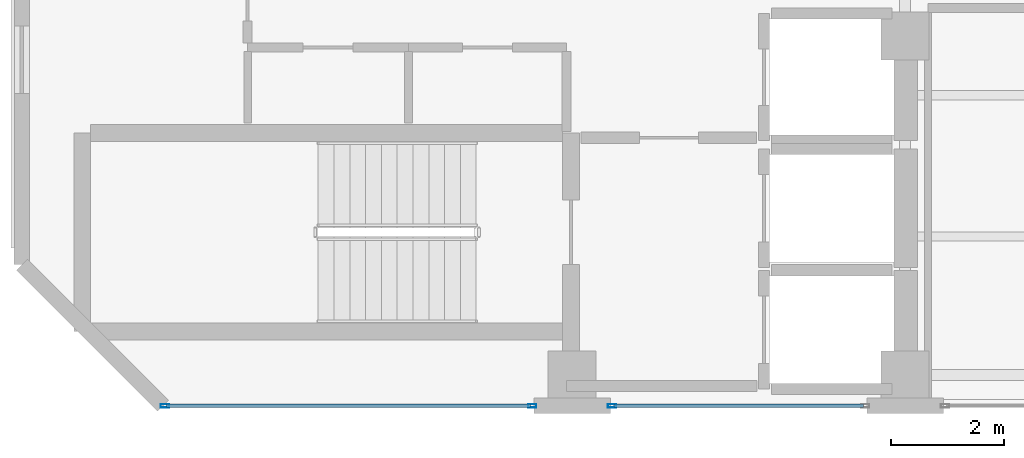
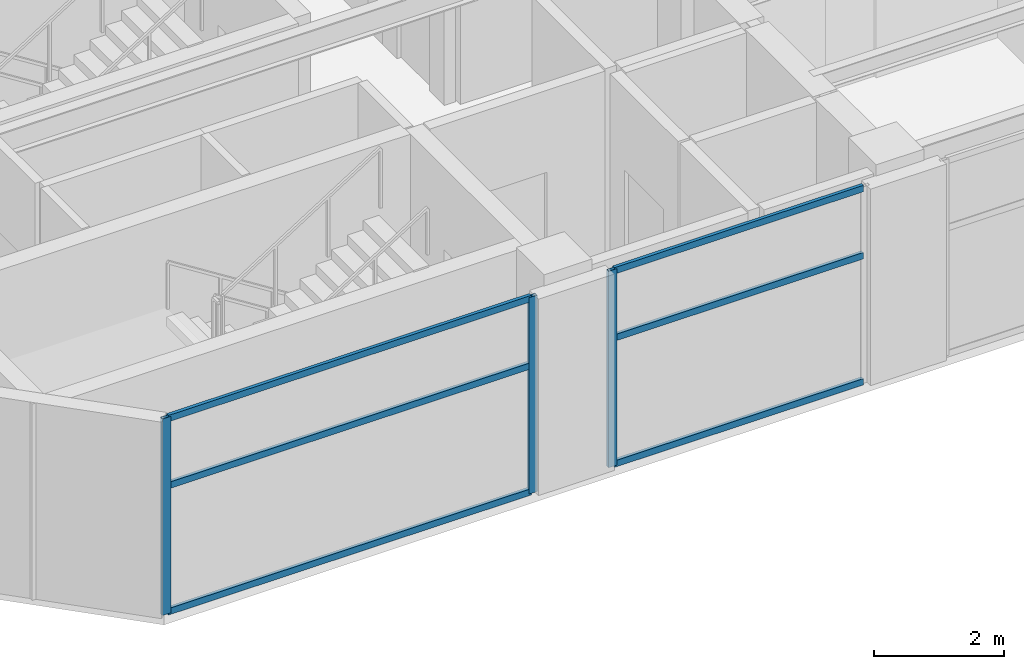
# One storey, part 2 of 15: 9 members, 2 elements without a shape of their own.
"""IFC4 building model written with IfcOpenShell, lengths in metres."""

from ifc_helpers import new_model, si_unit, direction, frame, origin, origin_2d, place, context, subcontext, project, spatial, hollow_rectangle, extrude, material, layer, layer_set, material_profile, profile_set, type_object, element, aggregate, save


model = new_model("IFC4")

# Units and contexts
model_context = context("Model", 3, precision=1e-05, world=origin(), true_north=direction((0.0, 1.0)))
body_context = subcontext(model_context, "Body", "Model", "MODEL_VIEW")
ifc_project = project(units=[si_unit("LENGTHUNIT", "METRE"), si_unit("AREAUNIT", "SQUARE_METRE"), si_unit("VOLUMEUNIT", "CUBIC_METRE"), si_unit("PLANEANGLEUNIT", "RADIAN"), si_unit("MASSUNIT", "GRAM", prefix="KILO")], contexts=[model_context])

# Site, building, storey
site_placement = place(None, origin())
site = spatial("IfcSite", under=ifc_project, at=site_placement, CompositionType="ELEMENT")
building_placement = place(site_placement, origin())
building = spatial("IfcBuilding", under=site, at=building_placement, Name="Mawjaban Terraces University", CompositionType="ELEMENT")
storey_placement = place(building_placement, frame((0.0, 0.0, 295.0)))
storey = spatial("IfcBuildingStorey", under=building, at=storey_placement, Name="L72", CompositionType="ELEMENT", Elevation=295.0)

# Curtain wall, members
ifc_material_1 = material(Name="Anodised aluminium 6063-T6 and solar-control low-E glass", Category="aluminium")
ifc_layer = layer(ifc_material_1, 0.159912109375)
ifc_layer_set = layer_set([ifc_layer], Name="Anodised aluminium 6063-T6 and solar-control low-E glass")
curtain_wall_type = type_object("IfcCurtainWallType", Name="CWSystem_03_NorthWing", PredefinedType="NOTDEFINED", material=ifc_layer_set)
curtain_wall_1_placement = place(storey_placement, origin())
curtain_wall_1 = element("IfcCurtainWall", 1, at=curtain_wall_1_placement, inside=storey, type_object=curtain_wall_type, Name="L72 Curtain Wall CW-03 Run 1.1", PredefinedType="NOTDEFINED")
ifc_material_2 = material(Name="Anodised aluminium 6063-T6", Category="aluminium")
ifc_material_profile_1 = material_profile(ifc_material_2, hollow_rectangle(XDim=0.06005859375, YDim=0.14990234375, WallThickness=0.00390625, at=origin_2d()), Name="ALU150X60X4")
ifc_profile_set_1 = profile_set([ifc_material_profile_1], Name="Anodised aluminium 6063-T6")
member_type_1 = type_object("IfcMemberType", Name="Mullion_CW-03", PredefinedType="MULLION", material=ifc_profile_set_1)
member_1_placement = place(storey_placement, frame((24.532470703125, 0.0, 0.0), z_axis=(0.0, 0.0, 1.0), x_axis=(0.0, 1.0, 0.0)))
member_1 = element("IfcMember", 2, at=member_1_placement, type_object=member_type_1, Name="CW-03 mullion 1", PredefinedType="MULLION", context=body_context, shape_type="SweptSolid", body=[
    extrude(hollow_rectangle(XDim=0.06005859375, YDim=0.14990234375, WallThickness=0.00390625, at=origin_2d()), origin(), (0.0, 0.0, 1.0), 3.68994140625),
])
member_2_placement = place(storey_placement, frame((31.04248046875, 0.0, 0.0), z_axis=(0.0, 0.0, 1.0), x_axis=(0.0, 1.0, 0.0)))
member_2 = element("IfcMember", 3, at=member_2_placement, type_object=member_type_1, Name="CW-03 mullion 2", PredefinedType="MULLION", context=body_context, shape_type="SweptSolid", body=[
    extrude(hollow_rectangle(XDim=0.06005859375, YDim=0.14990234375, WallThickness=0.00390625, at=origin_2d()), origin(), (0.0, 0.0, 1.0), 3.68994140625),
])

# Curtain wall, member
curtain_wall_2_placement = place(storey_placement, origin())
curtain_wall_2 = element("IfcCurtainWall", 4, at=curtain_wall_2_placement, inside=storey, type_object=curtain_wall_type, Name="L72 Curtain Wall CW-03 Run 1.2", PredefinedType="NOTDEFINED")
member_3_placement = place(storey_placement, frame((32.45751953125, 0.0, 0.0), z_axis=(0.0, 0.0, 1.0), x_axis=(0.0, 1.0, 0.0)))
member_3 = element("IfcMember", 5, at=member_3_placement, type_object=member_type_1, Name="CW-03 mullion 1", PredefinedType="MULLION", context=body_context, shape_type="SweptSolid", body=[
    extrude(hollow_rectangle(XDim=0.06005859375, YDim=0.14990234375, WallThickness=0.00390625, at=origin_2d()), origin(), (0.0, 0.0, 1.0), 3.68994140625),
])

# Member
ifc_material_profile_2 = material_profile(ifc_material_2, hollow_rectangle(XDim=0.06005859375, YDim=0.1201171875, WallThickness=0.00341796875, at=origin_2d()), Name="ALU120X60X3.5")
ifc_profile_set_2 = profile_set([ifc_material_profile_2], Name="Anodised aluminium 6063-T6")
member_type_2 = type_object("IfcMemberType", Name="Transom_CW-03", PredefinedType="NOTDEFINED", material=ifc_profile_set_2)
member_4_placement = place(storey_placement, frame((24.56494140625, 0.0, 0.030029296875), z_axis=(1.0, 0.0, 0.0), x_axis=(0.0, 1.0, 0.0)))
member_4 = element("IfcMember", 6, at=member_4_placement, type_object=member_type_2, Name="CW-03 transom 1.1", ObjectType="TRANSOM", PredefinedType="USERDEFINED", context=body_context, shape_type="SweptSolid", body=[
    extrude(hollow_rectangle(XDim=0.06005859375, YDim=0.1201171875, WallThickness=0.00341796875, at=origin_2d()), origin(), (0.0, 0.0, 1.0), 6.445068359375),
])

member_5_placement = place(storey_placement, frame((24.56494140625, 0.0, 2.39892578125), z_axis=(1.0, 0.0, 0.0), x_axis=(0.0, 1.0, 0.0)))
member_5 = element("IfcMember", 7, at=member_5_placement, type_object=member_type_2, Name="CW-03 transom 1.2", ObjectType="TRANSOM", PredefinedType="USERDEFINED", context=body_context, shape_type="SweptSolid", body=[
    extrude(hollow_rectangle(XDim=0.06005859375, YDim=0.1201171875, WallThickness=0.00341796875, at=origin_2d()), origin(), (0.0, 0.0, 1.0), 6.445068359375),
])

member_6_placement = place(storey_placement, frame((24.56494140625, 0.0, 3.659912109375), z_axis=(1.0, 0.0, 0.0), x_axis=(0.0, 1.0, 0.0)))
member_6 = element("IfcMember", 8, at=member_6_placement, type_object=member_type_2, Name="CW-03 transom 1.3", ObjectType="TRANSOM", PredefinedType="USERDEFINED", context=body_context, shape_type="SweptSolid", body=[
    extrude(hollow_rectangle(XDim=0.06005859375, YDim=0.1201171875, WallThickness=0.00341796875, at=origin_2d()), origin(), (0.0, 0.0, 1.0), 6.445068359375),
])

aggregate(curtain_wall_1, [member_1, member_2, member_4, member_5, member_6])

member_7_placement = place(storey_placement, frame((32.489990234375, 0.0, 0.030029296875), z_axis=(1.0, 0.0, 0.0), x_axis=(0.0, 1.0, 0.0)))
member_7 = element("IfcMember", 9, at=member_7_placement, type_object=member_type_2, Name="CW-03 transom 1.1", ObjectType="TRANSOM", PredefinedType="USERDEFINED", context=body_context, shape_type="SweptSolid", body=[
    extrude(hollow_rectangle(XDim=0.06005859375, YDim=0.1201171875, WallThickness=0.00341796875, at=origin_2d()), origin(), (0.0, 0.0, 1.0), 4.419921875),
])

member_8_placement = place(storey_placement, frame((32.489990234375, 0.0, 2.39892578125), z_axis=(1.0, 0.0, 0.0), x_axis=(0.0, 1.0, 0.0)))
member_8 = element("IfcMember", 10, at=member_8_placement, type_object=member_type_2, Name="CW-03 transom 1.2", ObjectType="TRANSOM", PredefinedType="USERDEFINED", context=body_context, shape_type="SweptSolid", body=[
    extrude(hollow_rectangle(XDim=0.06005859375, YDim=0.1201171875, WallThickness=0.00341796875, at=origin_2d()), origin(), (0.0, 0.0, 1.0), 4.419921875),
])

member_9_placement = place(storey_placement, frame((32.489990234375, 0.0, 3.659912109375), z_axis=(1.0, 0.0, 0.0), x_axis=(0.0, 1.0, 0.0)))
member_9 = element("IfcMember", 11, at=member_9_placement, type_object=member_type_2, Name="CW-03 transom 1.3", ObjectType="TRANSOM", PredefinedType="USERDEFINED", context=body_context, shape_type="SweptSolid", body=[
    extrude(hollow_rectangle(XDim=0.06005859375, YDim=0.1201171875, WallThickness=0.00341796875, at=origin_2d()), origin(), (0.0, 0.0, 1.0), 4.419921875),
])

aggregate(curtain_wall_2, [member_3, member_7, member_8, member_9])

save(model, "model.ifc")
